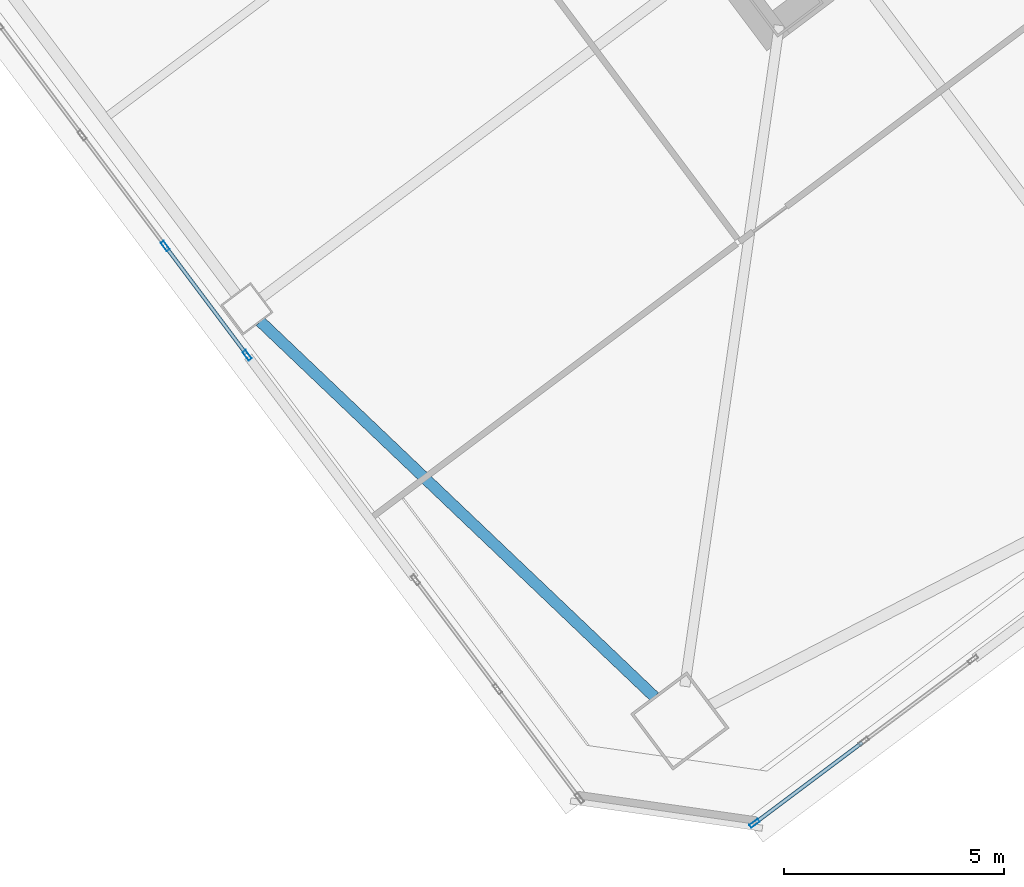
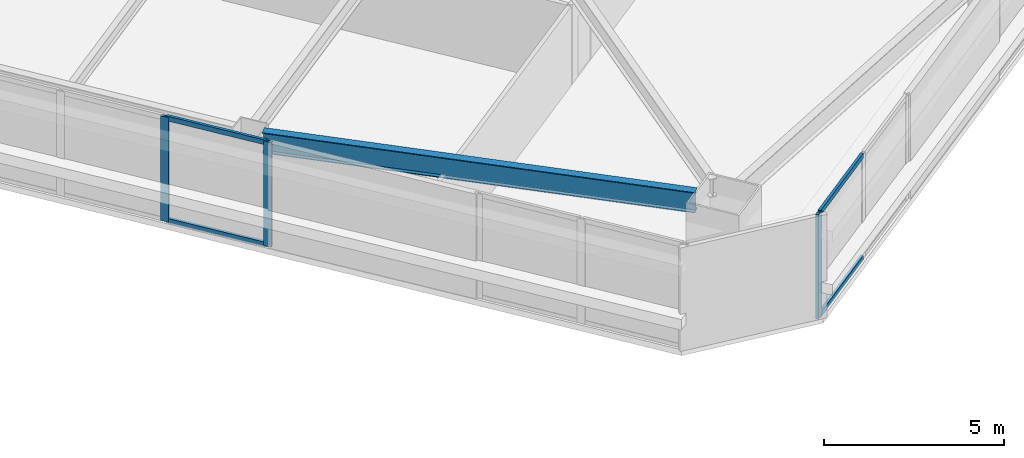
# One storey, part 19 of 47: 7 members, 1 beam, 2 elements without a shape of their own.
"""IFC4 building model written with IfcOpenShell, lengths in metres."""

from ifc_helpers import new_model, si_unit, direction, frame, origin, origin_2d, place, context, subcontext, project, spatial, hollow_rectangle, i_section, extrude, material, material_profile, profile_set, type_object, element, aggregate, save


model = new_model("IFC4")

# Units and contexts
model_context = context("Model", 3, precision=1e-05, world=origin(), true_north=direction((0.0, 1.0)))
body_context = subcontext(model_context, "Body", "Model", "MODEL_VIEW")
ifc_project = project(units=[si_unit("LENGTHUNIT", "METRE"), si_unit("AREAUNIT", "SQUARE_METRE"), si_unit("VOLUMEUNIT", "CUBIC_METRE"), si_unit("PLANEANGLEUNIT", "RADIAN"), si_unit("MASSUNIT", "GRAM", prefix="KILO")], contexts=[model_context])

# Site, building, storey
site_placement = place(None, origin())
site = spatial("IfcSite", under=ifc_project, at=site_placement, CompositionType="ELEMENT")
building_placement = place(site_placement, origin())
building = spatial("IfcBuilding", under=site, at=building_placement, Name="Tashvorn Skyway Center", CompositionType="ELEMENT")
storey_placement = place(building_placement, frame((0.0, 0.0, 42.35009765625)))
storey = spatial("IfcBuildingStorey", under=building, at=storey_placement, Name="L10", CompositionType="ELEMENT", Elevation=42.35009765625)

# Beam
ifc_material_1 = material(Name="Steel ASTM A992 Grade 50", Category="steel")
ifc_material_profile_1 = material_profile(ifc_material_1, i_section(OverallWidth=0.256103515625, OverallDepth=0.693115234375, WebThickness=0.014404296875, FlangeThickness=0.023681640625, at=origin_2d()), Name="W27X114")
ifc_profile_set_1 = profile_set([ifc_material_profile_1], Name="Steel ASTM A992 Grade 50")
beam_type = type_object("IfcBeamType", Name="BM-SPANDREL-W27X114", PredefinedType="SPANDREL", material=ifc_profile_set_1)
beam_placement = place(storey_placement, frame((100.7041015625, 14.76025390625, 3.00341796875), z_axis=(0.724200339835, -0.689589637236, 0.0), x_axis=(0.689589637236, 0.724200339835, 0.0)))
element("IfcBeam", 1, at=beam_placement, inside=storey, type_object=beam_type, Name="Tower 2 L10 Spandrel Beam 12", PredefinedType="SPANDREL", context=body_context, shape_type="SweptSolid", body=[
    extrude(i_section(OverallWidth=0.256103515625, OverallDepth=0.693115234375, WebThickness=0.014404296875, FlangeThickness=0.023681640625, at=origin_2d()), origin(), (0.0, 0.0, 1.0), 12.37255859375),
])

# Curtain wall, member
ifc_material_2 = material(Name="Thermally broken bronze-anodized aluminium 6063-T6", Category="aluminium")
curtain_wall_type = type_object("IfcCurtainWallType", Name="CW-CW-Z1", PredefinedType="NOTDEFINED", material=ifc_material_2)
curtain_wall_1_placement = place(storey_placement, origin())
curtain_wall_1 = element("IfcCurtainWall", 2, at=curtain_wall_1_placement, inside=storey, type_object=curtain_wall_type, Name="Tower 2 L10 South Unitised Curtain Wall Glazing Group 3", PredefinedType="NOTDEFINED")
ifc_material_profile_2 = material_profile(ifc_material_2, hollow_rectangle(XDim=0.0849609375, YDim=0.239990234375, WallThickness=0.0048828125, at=origin_2d()), Name="ALU-MULL-85x240")
ifc_profile_set_2 = profile_set([ifc_material_profile_2], Name="Thermally broken bronze-anodized aluminium 6063-T6")
member_type_1 = type_object("IfcMemberType", Name="CWM-CW-Z1", PredefinedType="MULLION", material=ifc_profile_set_2)
member_1_placement = place(storey_placement, frame((111.93798828125, 3.353515625, 0.0), z_axis=(0.0, 0.0, 1.0), x_axis=(0.599997457641, -0.800001906763, 0.0)))
member_1 = element("IfcMember", 3, at=member_1_placement, type_object=member_type_1, Name="CW-Z1 mullion 3", PredefinedType="MULLION", context=body_context, shape_type="SweptSolid", body=[
    extrude(hollow_rectangle(XDim=0.0849609375, YDim=0.239990234375, WallThickness=0.0048828125, at=origin_2d()), origin(), (0.0, 0.0, 1.0), 3.5498046875),
])

# Curtain wall, members
curtain_wall_2_placement = place(storey_placement, origin())
curtain_wall_2 = element("IfcCurtainWall", 4, at=curtain_wall_2_placement, inside=storey, type_object=curtain_wall_type, Name="Tower 2 L10 West Unitised Curtain Wall Glazing Group 2", PredefinedType="NOTDEFINED")
member_2_placement = place(storey_placement, frame((100.406494140625, 13.9912109375, 0.0), z_axis=(0.0, 0.0, 1.0), x_axis=(-0.800001906763, -0.599997457641, 0.0)))
member_2 = element("IfcMember", 5, at=member_2_placement, type_object=member_type_1, Name="CW-Z1 mullion 1", PredefinedType="MULLION", context=body_context, shape_type="SweptSolid", body=[
    extrude(hollow_rectangle(XDim=0.0849609375, YDim=0.239990234375, WallThickness=0.0048828125, at=origin_2d()), origin(), (0.0, 0.0, 1.0), 3.5498046875),
])
member_3_placement = place(storey_placement, frame((98.5439453125, 16.474609375, 0.0), z_axis=(0.0, 0.0, 1.0), x_axis=(-0.800001906763, -0.599997457641, 0.0)))
member_3 = element("IfcMember", 6, at=member_3_placement, type_object=member_type_1, Name="CW-Z1 mullion 2", PredefinedType="MULLION", context=body_context, shape_type="SweptSolid", body=[
    extrude(hollow_rectangle(XDim=0.0849609375, YDim=0.239990234375, WallThickness=0.0048828125, at=origin_2d()), origin(), (0.0, 0.0, 1.0), 3.5498046875),
])

# Member
ifc_material_profile_3 = material_profile(ifc_material_2, hollow_rectangle(XDim=0.0849609375, YDim=0.1650390625, WallThickness=0.0048828125, at=origin_2d()), Name="ALU-TRAN-85x165")
ifc_profile_set_3 = profile_set([ifc_material_profile_3], Name="Thermally broken bronze-anodized aluminium 6063-T6")
member_type_2 = type_object("IfcMemberType", Name="CWT-CW-Z1", PredefinedType="USERDEFINED", material=ifc_profile_set_3)
member_4_placement = place(storey_placement, frame((114.387451171875, 5.1904296875, 0.04248046875), z_axis=(-0.800019405753, -0.599974124791, 0.0), x_axis=(0.599974124791, -0.800019405753, 0.0)))
member_4 = element("IfcMember", 7, at=member_4_placement, type_object=member_type_2, Name="CW-Z1 transom 2.1", ObjectType="TRANSOM", PredefinedType="USERDEFINED", context=body_context, shape_type="SweptSolid", body=[
    extrude(hollow_rectangle(XDim=0.0849609375, YDim=0.1650390625, WallThickness=0.0048828125, at=origin_2d()), origin(), (0.0, 0.0, 1.0), 3.019287109375),
])

member_5_placement = place(storey_placement, frame((114.387451171875, 5.1904296875, 3.50732421875), z_axis=(-0.800019405753, -0.599974124791, 0.0), x_axis=(0.599974124791, -0.800019405753, 0.0)))
member_5 = element("IfcMember", 8, at=member_5_placement, type_object=member_type_2, Name="CW-Z1 transom 2.2", ObjectType="TRANSOM", PredefinedType="USERDEFINED", context=body_context, shape_type="SweptSolid", body=[
    extrude(hollow_rectangle(XDim=0.0849609375, YDim=0.1650390625, WallThickness=0.0048828125, at=origin_2d()), origin(), (0.0, 0.0, 1.0), 3.019287109375),
])

aggregate(curtain_wall_1, [member_1, member_4, member_5])

member_6_placement = place(storey_placement, frame((100.381103515625, 14.025390625, 0.04248046875), z_axis=(-0.600012938206, 0.799990296182, 0.0), x_axis=(-0.799990296182, -0.600012938206, 0.0)))
member_6 = element("IfcMember", 9, at=member_6_placement, type_object=member_type_2, Name="CW-Z1 transom 1.1", ObjectType="TRANSOM", PredefinedType="USERDEFINED", context=body_context, shape_type="SweptSolid", body=[
    extrude(hollow_rectangle(XDim=0.0849609375, YDim=0.1650390625, WallThickness=0.0048828125, at=origin_2d()), origin(), (0.0, 0.0, 1.0), 3.01904296875),
])

member_7_placement = place(storey_placement, frame((100.381103515625, 14.025390625, 3.50732421875), z_axis=(-0.600012938206, 0.799990296182, 0.0), x_axis=(-0.799990296182, -0.600012938206, 0.0)))
member_7 = element("IfcMember", 10, at=member_7_placement, type_object=member_type_2, Name="CW-Z1 transom 1.2", ObjectType="TRANSOM", PredefinedType="USERDEFINED", context=body_context, shape_type="SweptSolid", body=[
    extrude(hollow_rectangle(XDim=0.0849609375, YDim=0.1650390625, WallThickness=0.0048828125, at=origin_2d()), origin(), (0.0, 0.0, 1.0), 3.01904296875),
])

aggregate(curtain_wall_2, [member_2, member_3, member_6, member_7])

save(model, "model.ifc")
